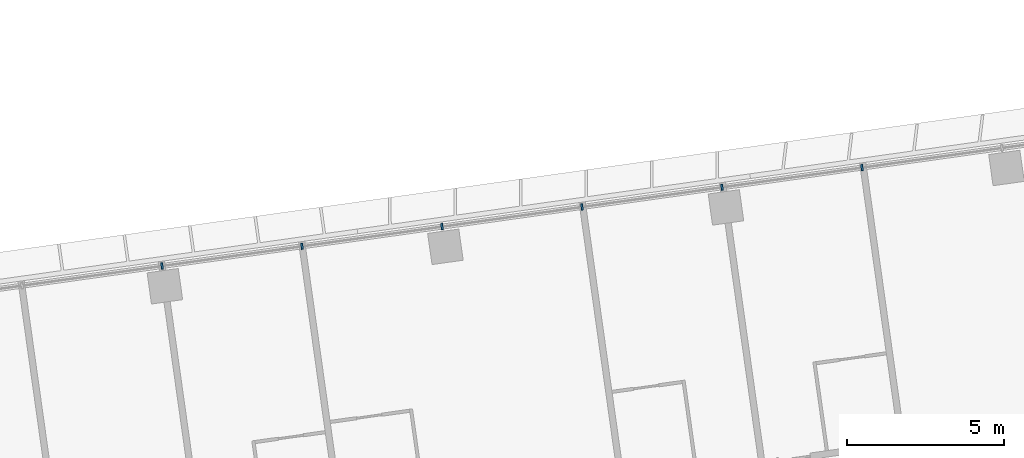
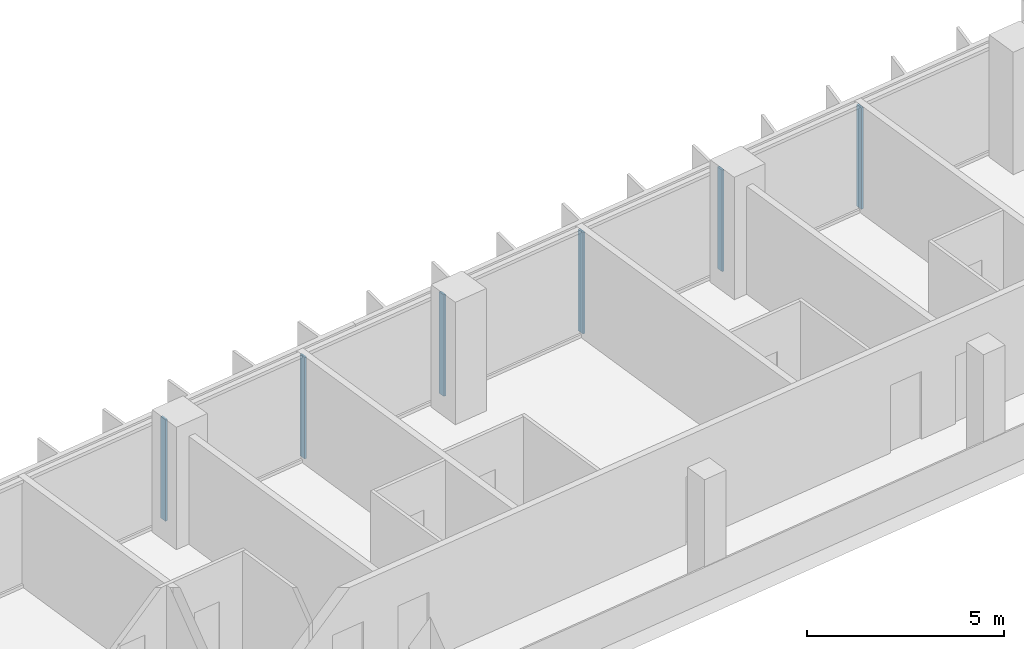
# One storey, part 10 of 24: 6 members, 1 element without a shape of its own.
"""IFC4 building model written with IfcOpenShell, lengths in metres."""

from ifc_helpers import new_model, si_unit, direction, frame, origin, origin_2d, place, context, subcontext, project, spatial, rectangle, extrude, material, material_profile, profile_set, type_object, element, aggregate, save


model = new_model("IFC4")

# Units and contexts
model_context = context("Model", 3, precision=1e-05, world=origin(), true_north=direction((0.0, 1.0)))
body_context = subcontext(model_context, "Body", "Model", "MODEL_VIEW")
ifc_project = project(units=[si_unit("LENGTHUNIT", "METRE"), si_unit("AREAUNIT", "SQUARE_METRE"), si_unit("VOLUMEUNIT", "CUBIC_METRE"), si_unit("PLANEANGLEUNIT", "RADIAN"), si_unit("MASSUNIT", "GRAM", prefix="KILO")], contexts=[model_context])

# Site, building, storey
site_placement = place(None, origin())
site = spatial("IfcSite", under=ifc_project, at=site_placement, CompositionType="ELEMENT")
building_placement = place(site_placement, origin())
building = spatial("IfcBuilding", under=site, at=building_placement, Name="Mirante Cascada Hotel Towers", CompositionType="ELEMENT")
storey_placement = place(building_placement, frame((0.0, 0.0, 50.9)))
storey = spatial("IfcBuildingStorey", under=building, at=storey_placement, Name="L09", CompositionType="ELEMENT", Elevation=50.9)

# Curtain wall, members
ifc_material_1 = material(Name="Aluminium mullion and transom frame with clear laminated glass", Category="aluminium")
curtain_wall_type = type_object("IfcCurtainWallType", Name="Ribbon curtain wall ECW1", PredefinedType="NOTDEFINED", material=ifc_material_1)
curtain_wall_placement = place(storey_placement, origin())
curtain_wall = element("IfcCurtainWall", 1, at=curtain_wall_placement, inside=storey, type_object=curtain_wall_type, Name="Front ribbon wall T2 L09", PredefinedType="NOTDEFINED")
ifc_material_2 = material(Name="Anodised aluminium extrusion", Category="aluminium")
ifc_material_profile = material_profile(ifc_material_2, rectangle(XDim=0.2, YDim=0.065, at=origin_2d()), Name="ECW1 MULLION 65x200")
ifc_profile_set = profile_set([ifc_material_profile], Name="Anodised aluminium extrusion")
member_type = type_object("IfcMemberType", Name="ECW1 mullion 65x200", PredefinedType="MULLION", material=ifc_profile_set)
member_1_placement = place(storey_placement, frame((85.2633, 24.802, 0.1), z_axis=(0.0, 0.0, 1.0), x_axis=(0.1391731, -0.9902681, 0.0)))
member_1 = element("IfcMember", 2, at=member_1_placement, type_object=member_type, Name="ECW1 mullion 3", PredefinedType="MULLION", context=body_context, shape_type="SweptSolid", body=[
    extrude(rectangle(XDim=0.2, YDim=0.065, at=origin_2d()), origin(), (0.0, 0.0, 1.0), 3.15),
])
member_2_placement = place(storey_placement, frame((80.8159, 24.177, 0.1), z_axis=(0.0, 0.0, 1.0), x_axis=(0.1391731, -0.9902681, 0.0)))
member_2 = element("IfcMember", 3, at=member_2_placement, type_object=member_type, Name="ECW1 mullion 4", PredefinedType="MULLION", context=body_context, shape_type="SweptSolid", body=[
    extrude(rectangle(XDim=0.2, YDim=0.065, at=origin_2d()), origin(), (0.0, 0.0, 1.0), 3.15),
])
member_3_placement = place(storey_placement, frame((76.3685, 23.5519, 0.1), z_axis=(0.0, 0.0, 1.0), x_axis=(0.1391731, -0.9902681, 0.0)))
member_3 = element("IfcMember", 4, at=member_3_placement, type_object=member_type, Name="ECW1 mullion 5", PredefinedType="MULLION", context=body_context, shape_type="SweptSolid", body=[
    extrude(rectangle(XDim=0.2, YDim=0.065, at=origin_2d()), origin(), (0.0, 0.0, 1.0), 3.15),
])
member_4_placement = place(storey_placement, frame((71.9211, 22.9269, 0.1), z_axis=(0.0, 0.0, 1.0), x_axis=(0.1391731, -0.9902681, 0.0)))
member_4 = element("IfcMember", 5, at=member_4_placement, type_object=member_type, Name="ECW1 mullion 6", PredefinedType="MULLION", context=body_context, shape_type="SweptSolid", body=[
    extrude(rectangle(XDim=0.2, YDim=0.065, at=origin_2d()), origin(), (0.0, 0.0, 1.0), 3.15),
])
member_5_placement = place(storey_placement, frame((67.4737, 22.3018, 0.1), z_axis=(0.0, 0.0, 1.0), x_axis=(0.1391731, -0.9902681, 0.0)))
member_5 = element("IfcMember", 6, at=member_5_placement, type_object=member_type, Name="ECW1 mullion 7", PredefinedType="MULLION", context=body_context, shape_type="SweptSolid", body=[
    extrude(rectangle(XDim=0.2, YDim=0.065, at=origin_2d()), origin(), (0.0, 0.0, 1.0), 3.15),
])
member_6_placement = place(storey_placement, frame((63.0262, 21.6768, 0.1), z_axis=(0.0, 0.0, 1.0), x_axis=(0.1391731, -0.9902681, 0.0)))
member_6 = element("IfcMember", 7, at=member_6_placement, type_object=member_type, Name="ECW1 mullion 8", PredefinedType="MULLION", context=body_context, shape_type="SweptSolid", body=[
    extrude(rectangle(XDim=0.2, YDim=0.065, at=origin_2d()), origin(), (0.0, 0.0, 1.0), 3.15),
])
aggregate(curtain_wall, [member_1, member_2, member_3, member_4, member_5, member_6])

save(model, "model.ifc")
